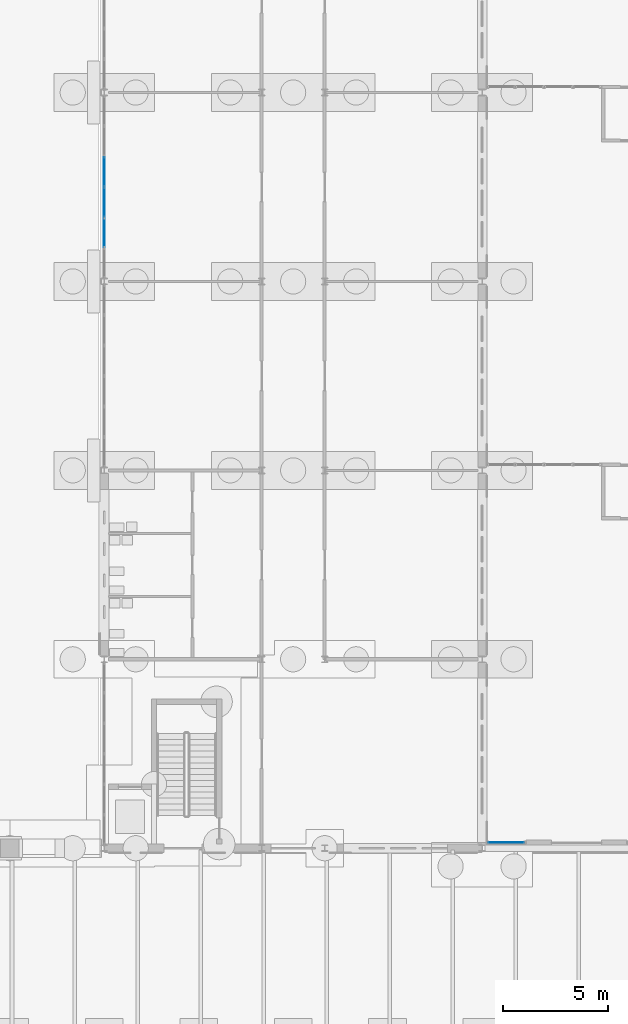
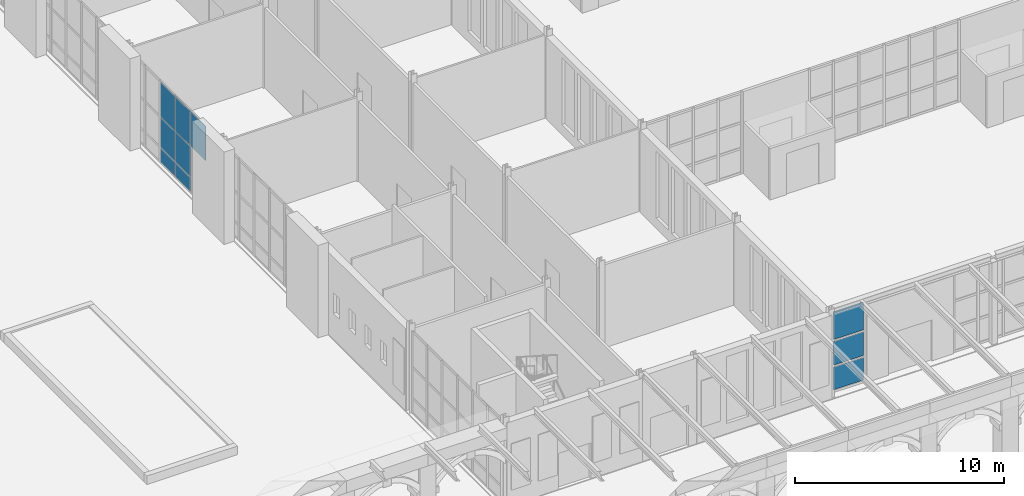
# One storey, part 72 of 168: 10 plates, 2 elements without a shape of their own.
"""IFC4 building model written with IfcOpenShell, lengths in metres."""

from ifc_helpers import new_model, si_unit, direction, frame, origin, origin_2d, place, context, subcontext, project, spatial, rectangle, extrude, material, layer, layer_set, type_object, element, aggregate, save


model = new_model("IFC4")

# Units and contexts
model_context = context("Model", 3, precision=1e-05, world=origin(), true_north=direction((0.0, 1.0)))
body_context = subcontext(model_context, "Body", "Model", "MODEL_VIEW")
ifc_project = project(units=[si_unit("LENGTHUNIT", "METRE"), si_unit("AREAUNIT", "SQUARE_METRE"), si_unit("VOLUMEUNIT", "CUBIC_METRE"), si_unit("PLANEANGLEUNIT", "RADIAN"), si_unit("MASSUNIT", "GRAM", prefix="KILO")], contexts=[model_context])

# Site, building, storey
site_placement = place(None, origin())
site = spatial("IfcSite", under=ifc_project, at=site_placement, CompositionType="ELEMENT")
building_placement = place(site_placement, origin())
building = spatial("IfcBuilding", under=site, at=building_placement, Name="Golden Quay Civic Hall", CompositionType="ELEMENT")
storey_placement = place(building_placement, origin())
storey = spatial("IfcBuildingStorey", under=building, at=storey_placement, Name="L00", CompositionType="ELEMENT", Elevation=0.0)

# Curtain wall, plates
ifc_material_1 = material(Name="Glass, laminated double glazed", Category="glass")
ifc_layer_1 = layer(ifc_material_1, 0.199951171875)
ifc_layer_set_1 = layer_set([ifc_layer_1], Name="Glazed core strip curtain wall")
curtain_wall_type_1 = type_object("IfcCurtainWallType", Name="Glazed core strip curtain wall", PredefinedType="NOTDEFINED", material=ifc_layer_set_1)
curtain_wall_1_placement = place(storey_placement, origin())
curtain_wall_1 = element("IfcCurtainWall", 1, at=curtain_wall_1_placement, inside=storey, type_object=curtain_wall_type_1, Name="Glazed core strip curtain wall L00 5", PredefinedType="NOTDEFINED")
ifc_material_2 = material(Name="Glass, laminated double glazed", Category="glass")
ifc_layer_2 = layer(ifc_material_2, 0.028076171875)
ifc_layer_set_2 = layer_set([ifc_layer_2], Name="Double glazed curtain wall panel 28")
plate_type_1 = type_object("IfcPlateType", Name="Double glazed curtain wall panel 28", PredefinedType="CURTAIN_PANEL", material=ifc_layer_set_2)
plate_1_placement = place(storey_placement, frame((54.0, 29.322509765625, 2.72998046875), z_axis=(0.0, 0.0, 1.0), x_axis=(0.0, 1.0, 0.0)))
plate_1 = element("IfcPlate", 2, at=plate_1_placement, type_object=plate_type_1, Name="CW2 panel 2.3", PredefinedType="CURTAIN_PANEL", context=body_context, shape_type="SweptSolid", body=[
    extrude(rectangle(XDim=1.3916015625, YDim=0.028076171875, at=origin_2d()), origin(), (0.0, 0.0, 1.0), 2.010009765625),
])
plate_2_placement = place(storey_placement, frame((54.0, 30.774169921875, 0.06005859375), z_axis=(0.0, 0.0, 1.0), x_axis=(0.0, 1.0, 0.0)))
plate_2 = element("IfcPlate", 3, at=plate_2_placement, type_object=plate_type_1, Name="CW2 panel 3.1", PredefinedType="CURTAIN_PANEL", context=body_context, shape_type="SweptSolid", body=[
    extrude(rectangle(XDim=1.3916015625, YDim=0.028076171875, at=origin_2d()), origin(), (0.0, 0.0, 1.0), 0.81005859375),
])
plate_3_placement = place(storey_placement, frame((54.0, 30.774169921875, 0.93017578125), z_axis=(0.0, 0.0, 1.0), x_axis=(0.0, 1.0, 0.0)))
plate_3 = element("IfcPlate", 4, at=plate_3_placement, type_object=plate_type_1, Name="CW2 panel 3.2", PredefinedType="CURTAIN_PANEL", context=body_context, shape_type="SweptSolid", body=[
    extrude(rectangle(XDim=1.3916015625, YDim=0.028076171875, at=origin_2d()), origin(), (0.0, 0.0, 1.0), 1.739990234375),
])
plate_4_placement = place(storey_placement, frame((54.0, 30.774169921875, 2.72998046875), z_axis=(0.0, 0.0, 1.0), x_axis=(0.0, 1.0, 0.0)))
plate_4 = element("IfcPlate", 5, at=plate_4_placement, type_object=plate_type_1, Name="CW2 panel 3.3", PredefinedType="CURTAIN_PANEL", context=body_context, shape_type="SweptSolid", body=[
    extrude(rectangle(XDim=1.3916015625, YDim=0.028076171875, at=origin_2d()), origin(), (0.0, 0.0, 1.0), 2.010009765625),
])
plate_5_placement = place(storey_placement, frame((54.0, 32.225830078125, 0.06005859375), z_axis=(0.0, 0.0, 1.0), x_axis=(0.0, 1.0, 0.0)))
plate_5 = element("IfcPlate", 6, at=plate_5_placement, type_object=plate_type_1, Name="CW2 panel 4.1", PredefinedType="CURTAIN_PANEL", context=body_context, shape_type="SweptSolid", body=[
    extrude(rectangle(XDim=1.3916015625, YDim=0.028076171875, at=origin_2d()), origin(), (0.0, 0.0, 1.0), 0.81005859375),
])
plate_6_placement = place(storey_placement, frame((54.0, 32.225830078125, 0.93017578125), z_axis=(0.0, 0.0, 1.0), x_axis=(0.0, 1.0, 0.0)))
plate_6 = element("IfcPlate", 7, at=plate_6_placement, type_object=plate_type_1, Name="CW2 panel 4.2", PredefinedType="CURTAIN_PANEL", context=body_context, shape_type="SweptSolid", body=[
    extrude(rectangle(XDim=1.3916015625, YDim=0.028076171875, at=origin_2d()), origin(), (0.0, 0.0, 1.0), 1.739990234375),
])
plate_7_placement = place(storey_placement, frame((54.0, 32.225830078125, 2.72998046875), z_axis=(0.0, 0.0, 1.0), x_axis=(0.0, 1.0, 0.0)))
plate_7 = element("IfcPlate", 8, at=plate_7_placement, type_object=plate_type_1, Name="CW2 panel 4.3", PredefinedType="CURTAIN_PANEL", context=body_context, shape_type="SweptSolid", body=[
    extrude(rectangle(XDim=1.3916015625, YDim=0.028076171875, at=origin_2d()), origin(), (0.0, 0.0, 1.0), 2.010009765625),
])
aggregate(curtain_wall_1, [plate_1, plate_2, plate_3, plate_4, plate_5, plate_6, plate_7])

ifc_material_3 = material(Name="Glass and aluminium", Category="aluminium")
curtain_wall_type_2 = type_object("IfcCurtainWallType", Name="Glazed curtain wall 1500 module", PredefinedType="NOTDEFINED", material=ifc_material_3)
curtain_wall_2_placement = place(storey_placement, origin())
curtain_wall_2 = element("IfcCurtainWall", 9, at=curtain_wall_2_placement, inside=storey, type_object=curtain_wall_type_2, Name="CW1 curtain wall", PredefinedType="NOTDEFINED")
ifc_material_4 = material(Name="Laminated glass", Category="glass")
ifc_layer_3 = layer(ifc_material_4, 0.028076171875)
ifc_layer_set_3 = layer_set([ifc_layer_3], Name="Laminated glass panel 28")
plate_type_2 = type_object("IfcPlateType", Name="Laminated glass panel 28", PredefinedType="CURTAIN_PANEL", material=ifc_layer_set_3)
plate_8_placement = place(storey_placement, frame((73.14990234375, 0.27001953125, 0.1201171875), z_axis=(0.0, 0.0, 1.0), x_axis=(1.0, 0.0, 0.0)))
plate_8 = element("IfcPlate", 10, at=plate_8_placement, type_object=plate_type_2, Name="CW1 panel 1.1", PredefinedType="CURTAIN_PANEL", context=body_context, shape_type="SweptSolid", body=[
    extrude(rectangle(XDim=1.659912109375, YDim=0.028076171875, at=origin_2d()), origin(), (0.0, 0.0, 1.0), 1.320068359375),
])
plate_9_placement = place(storey_placement, frame((73.14990234375, 0.27001953125, 1.56005859375), z_axis=(0.0, 0.0, 1.0), x_axis=(1.0, 0.0, 0.0)))
plate_9 = element("IfcPlate", 11, at=plate_9_placement, type_object=plate_type_2, Name="CW1 panel 1.2", PredefinedType="CURTAIN_PANEL", context=body_context, shape_type="SweptSolid", body=[
    extrude(rectangle(XDim=1.659912109375, YDim=0.028076171875, at=origin_2d()), origin(), (0.0, 0.0, 1.0), 1.3798828125),
])
plate_10_placement = place(storey_placement, frame((73.14990234375, 0.27001953125, 3.06005859375), z_axis=(0.0, 0.0, 1.0), x_axis=(1.0, 0.0, 0.0)))
plate_10 = element("IfcPlate", 12, at=plate_10_placement, type_object=plate_type_2, Name="CW1 panel 1.3", PredefinedType="CURTAIN_PANEL", context=body_context, shape_type="SweptSolid", body=[
    extrude(rectangle(XDim=1.659912109375, YDim=0.028076171875, at=origin_2d()), origin(), (0.0, 0.0, 1.0), 1.6201171875),
])
aggregate(curtain_wall_2, [plate_8, plate_9, plate_10])

save(model, "model.ifc")
